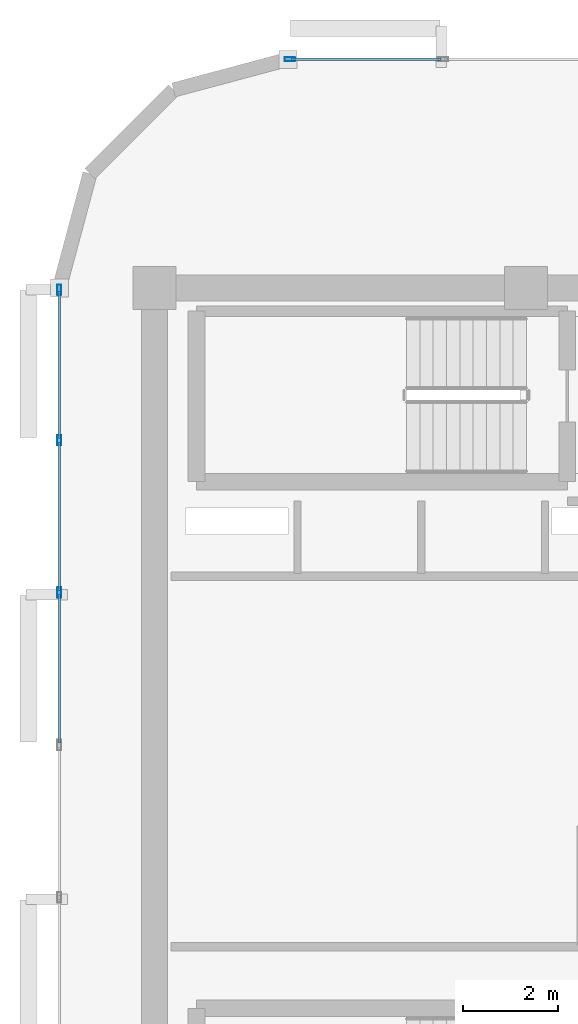
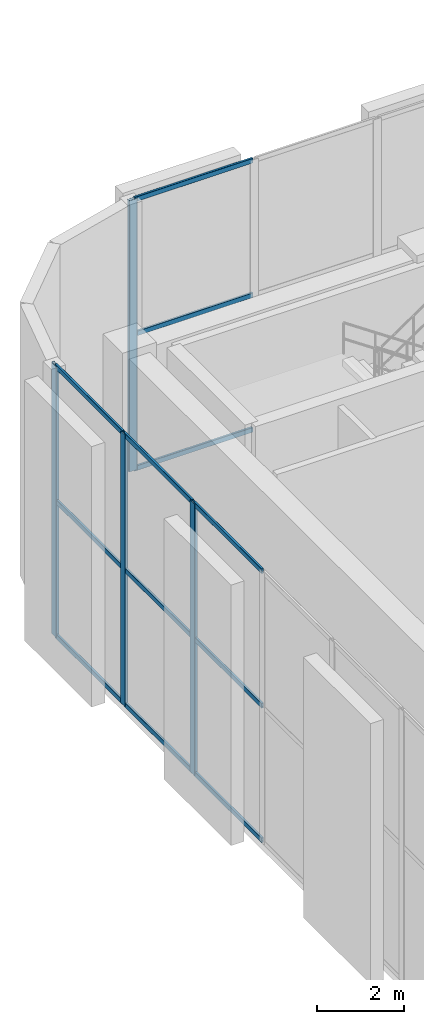
# One storey, part 7 of 22: 16 members, 2 elements without a shape of their own.
"""IFC4 building model written with IfcOpenShell, lengths in metres."""

from ifc_helpers import new_model, si_unit, direction, frame, origin, origin_2d, place, context, subcontext, project, spatial, hollow_rectangle, extrude, material, layer, layer_set, material_profile, profile_set, type_object, element, aggregate, save


model = new_model("IFC4")

# Units and contexts
model_context = context("Model", 3, precision=1e-05, world=origin(), true_north=direction((0.0, 1.0)))
body_context = subcontext(model_context, "Body", "Model", "MODEL_VIEW")
ifc_project = project(units=[si_unit("LENGTHUNIT", "METRE"), si_unit("AREAUNIT", "SQUARE_METRE"), si_unit("VOLUMEUNIT", "CUBIC_METRE"), si_unit("PLANEANGLEUNIT", "RADIAN"), si_unit("MASSUNIT", "GRAM", prefix="KILO")], contexts=[model_context])

# Site, building, storey
site_placement = place(None, origin())
site = spatial("IfcSite", under=ifc_project, at=site_placement, CompositionType="ELEMENT")
building_placement = place(site_placement, origin())
building = spatial("IfcBuilding", under=site, at=building_placement, Name="An Khanh Terracotta Commons", CompositionType="ELEMENT")
storey_placement = place(building_placement, frame((0.0, 0.0, 300.39990234375)))
storey = spatial("IfcBuildingStorey", under=building, at=storey_placement, Name="L78 Crown Damper Chamber", CompositionType="ELEMENT", Elevation=300.39990234375)

# Curtain wall, member
ifc_material = material(Name="Anodised Aluminium 6063-T6", Category="aluminium")
ifc_layer = layer(ifc_material, 0.25, Name="Anodised Aluminium 6063-T6")
ifc_layer_set = layer_set([ifc_layer], Name="Anodised Aluminium 6063-T6")
curtain_wall_type = type_object("IfcCurtainWallType", Name="CW-SYS-05", PredefinedType="USERDEFINED", material=ifc_layer_set)
curtain_wall_1_placement = place(storey_placement, origin())
curtain_wall_1 = element("IfcCurtainWall", 1, at=curtain_wall_1_placement, inside=storey, type_object=curtain_wall_type, Name="L78 Crown Damper Chamber CW-05 Unitised Curtain Wall CW-L78-20", ObjectType="UNITISED CURTAIN WALL", PredefinedType="USERDEFINED")
ifc_material_profile_1 = material_profile(ifc_material, hollow_rectangle(XDim=0.080078125, YDim=0.219970703125, WallThickness=0.0048828125, InnerFilletRadius=0.0048828125, OuterFilletRadius=0.010009765625, at=origin_2d()), Name="RHS220x80x5")
ifc_profile_set_1 = profile_set([ifc_material_profile_1], Name="Anodised Aluminium 6063-T6")
member_type_1 = type_object("IfcMemberType", Name="CWM-RHS220x80x5", PredefinedType="MULLION", material=ifc_profile_set_1)
member_1_placement = place(storey_placement, frame((24.43994140625, 38.39990234375, 0.0), z_axis=(0.0, 0.0, 1.0), x_axis=(0.0, -1.0, 0.0)))
member_1 = element("IfcMember", 2, at=member_1_placement, type_object=member_type_1, Name="CW-05 mullion 12", PredefinedType="MULLION", context=body_context, shape_type="SweptSolid", body=[
    extrude(hollow_rectangle(XDim=0.080078125, YDim=0.219970703125, WallThickness=0.0048828125, InnerFilletRadius=0.0048828125, OuterFilletRadius=0.010009765625, at=origin_2d()), origin(), (0.0, 0.0, 1.0), 7.60009765625),
])

# Curtain wall, members
curtain_wall_2_placement = place(storey_placement, origin())
curtain_wall_2 = element("IfcCurtainWall", 3, at=curtain_wall_2_placement, inside=storey, type_object=curtain_wall_type, Name="L78 Crown Damper Chamber CW-05 Unitised Curtain Wall CW-L78-24", ObjectType="UNITISED CURTAIN WALL", PredefinedType="USERDEFINED")
member_2_placement = place(storey_placement, frame((19.60009765625, 33.56005859375, 0.0), z_axis=(0.0, 0.0, 1.0), x_axis=(1.0, 0.0, 0.0)))
member_2 = element("IfcMember", 4, at=member_2_placement, type_object=member_type_1, Name="CW-05 mullion 1", PredefinedType="MULLION", context=body_context, shape_type="SweptSolid", body=[
    extrude(hollow_rectangle(XDim=0.080078125, YDim=0.219970703125, WallThickness=0.0048828125, InnerFilletRadius=0.0048828125, OuterFilletRadius=0.010009765625, at=origin_2d()), origin(), (0.0, 0.0, 1.0), 7.60009765625),
])
member_3_placement = place(storey_placement, frame((19.60009765625, 30.39990234375, 0.0), z_axis=(0.0, 0.0, 1.0), x_axis=(1.0, 0.0, 0.0)))
member_3 = element("IfcMember", 5, at=member_3_placement, type_object=member_type_1, Name="CW-05 mullion 2", PredefinedType="MULLION", context=body_context, shape_type="SweptSolid", body=[
    extrude(hollow_rectangle(XDim=0.080078125, YDim=0.219970703125, WallThickness=0.0048828125, InnerFilletRadius=0.0048828125, OuterFilletRadius=0.010009765625, at=origin_2d()), origin(), (0.0, 0.0, 1.0), 7.60009765625),
])
member_4_placement = place(storey_placement, frame((19.60009765625, 27.199951171875, 0.0), z_axis=(0.0, 0.0, 1.0), x_axis=(1.0, 0.0, 0.0)))
member_4 = element("IfcMember", 6, at=member_4_placement, type_object=member_type_1, Name="CW-05 mullion 3", PredefinedType="MULLION", context=body_context, shape_type="SweptSolid", body=[
    extrude(hollow_rectangle(XDim=0.080078125, YDim=0.219970703125, WallThickness=0.0048828125, InnerFilletRadius=0.0048828125, OuterFilletRadius=0.010009765625, at=origin_2d()), origin(), (0.0, 0.0, 1.0), 7.60009765625),
])

# Member
ifc_material_profile_2 = material_profile(ifc_material, hollow_rectangle(XDim=0.06005859375, YDim=0.135009765625, WallThickness=0.003662109375, InnerFilletRadius=0.003662109375, OuterFilletRadius=0.007080078125, at=origin_2d()), Name="RHS135x60x3.6")
ifc_profile_set_2 = profile_set([ifc_material_profile_2], Name="Anodised Aluminium 6063-T6")
member_type_2 = type_object("IfcMemberType", Name="CWT-RHS135x60x3.6", PredefinedType="USERDEFINED", material=ifc_profile_set_2)
member_5_placement = place(storey_placement, frame((27.61669921875, 38.39990234375, 0.030029296875), z_axis=(-1.0, 0.0, 0.0), x_axis=(0.0, -1.0, 0.0)))
member_5 = element("IfcMember", 7, at=member_5_placement, type_object=member_type_2, Name="CW-05 transom 11.1", ObjectType="TRANSOM", PredefinedType="USERDEFINED", context=body_context, shape_type="SweptSolid", body=[
    extrude(hollow_rectangle(XDim=0.06005859375, YDim=0.135009765625, WallThickness=0.003662109375, InnerFilletRadius=0.003662109375, OuterFilletRadius=0.007080078125, at=origin_2d()), origin(), (0.0, 0.0, 1.0), 3.13671875),
])

member_6_placement = place(storey_placement, frame((27.61669921875, 38.39990234375, 3.800048828125), z_axis=(-1.0, 0.0, 0.0), x_axis=(0.0, -1.0, 0.0)))
member_6 = element("IfcMember", 8, at=member_6_placement, type_object=member_type_2, Name="CW-05 transom 11.2", ObjectType="TRANSOM", PredefinedType="USERDEFINED", context=body_context, shape_type="SweptSolid", body=[
    extrude(hollow_rectangle(XDim=0.06005859375, YDim=0.135009765625, WallThickness=0.003662109375, InnerFilletRadius=0.003662109375, OuterFilletRadius=0.007080078125, at=origin_2d()), origin(), (0.0, 0.0, 1.0), 3.13671875),
])

member_7_placement = place(storey_placement, frame((27.61669921875, 38.39990234375, 7.570068359375), z_axis=(-1.0, 0.0, 0.0), x_axis=(0.0, -1.0, 0.0)))
member_7 = element("IfcMember", 9, at=member_7_placement, type_object=member_type_2, Name="CW-05 transom 11.3", ObjectType="TRANSOM", PredefinedType="USERDEFINED", context=body_context, shape_type="SweptSolid", body=[
    extrude(hollow_rectangle(XDim=0.06005859375, YDim=0.135009765625, WallThickness=0.003662109375, InnerFilletRadius=0.003662109375, OuterFilletRadius=0.007080078125, at=origin_2d()), origin(), (0.0, 0.0, 1.0), 3.13671875),
])

aggregate(curtain_wall_1, [member_1, member_5, member_6, member_7])

member_8_placement = place(storey_placement, frame((19.60009765625, 33.52001953125, 0.030029296875), z_axis=(0.0, -1.0, 0.0), x_axis=(1.0, 0.0, 0.0)))
member_8 = element("IfcMember", 10, at=member_8_placement, type_object=member_type_2, Name="CW-05 transom 1.1", ObjectType="TRANSOM", PredefinedType="USERDEFINED", context=body_context, shape_type="SweptSolid", body=[
    extrude(hollow_rectangle(XDim=0.06005859375, YDim=0.135009765625, WallThickness=0.003662109375, InnerFilletRadius=0.003662109375, OuterFilletRadius=0.007080078125, at=origin_2d()), origin(), (0.0, 0.0, 1.0), 3.080078125),
])

member_9_placement = place(storey_placement, frame((19.60009765625, 33.52001953125, 3.800048828125), z_axis=(0.0, -1.0, 0.0), x_axis=(1.0, 0.0, 0.0)))
member_9 = element("IfcMember", 11, at=member_9_placement, type_object=member_type_2, Name="CW-05 transom 1.2", ObjectType="TRANSOM", PredefinedType="USERDEFINED", context=body_context, shape_type="SweptSolid", body=[
    extrude(hollow_rectangle(XDim=0.06005859375, YDim=0.135009765625, WallThickness=0.003662109375, InnerFilletRadius=0.003662109375, OuterFilletRadius=0.007080078125, at=origin_2d()), origin(), (0.0, 0.0, 1.0), 3.080078125),
])

member_10_placement = place(storey_placement, frame((19.60009765625, 33.52001953125, 7.570068359375), z_axis=(0.0, -1.0, 0.0), x_axis=(1.0, 0.0, 0.0)))
member_10 = element("IfcMember", 12, at=member_10_placement, type_object=member_type_2, Name="CW-05 transom 1.3", ObjectType="TRANSOM", PredefinedType="USERDEFINED", context=body_context, shape_type="SweptSolid", body=[
    extrude(hollow_rectangle(XDim=0.06005859375, YDim=0.135009765625, WallThickness=0.003662109375, InnerFilletRadius=0.003662109375, OuterFilletRadius=0.007080078125, at=origin_2d()), origin(), (0.0, 0.0, 1.0), 3.080078125),
])

member_11_placement = place(storey_placement, frame((19.60009765625, 30.360107421875, 0.030029296875), z_axis=(0.0, -1.0, 0.0), x_axis=(1.0, 0.0, 0.0)))
member_11 = element("IfcMember", 13, at=member_11_placement, type_object=member_type_2, Name="CW-05 transom 2.1", ObjectType="TRANSOM", PredefinedType="USERDEFINED", context=body_context, shape_type="SweptSolid", body=[
    extrude(hollow_rectangle(XDim=0.06005859375, YDim=0.135009765625, WallThickness=0.003662109375, InnerFilletRadius=0.003662109375, OuterFilletRadius=0.007080078125, at=origin_2d()), origin(), (0.0, 0.0, 1.0), 3.1201171875),
])

member_12_placement = place(storey_placement, frame((19.60009765625, 30.360107421875, 3.800048828125), z_axis=(0.0, -1.0, 0.0), x_axis=(1.0, 0.0, 0.0)))
member_12 = element("IfcMember", 14, at=member_12_placement, type_object=member_type_2, Name="CW-05 transom 2.2", ObjectType="TRANSOM", PredefinedType="USERDEFINED", context=body_context, shape_type="SweptSolid", body=[
    extrude(hollow_rectangle(XDim=0.06005859375, YDim=0.135009765625, WallThickness=0.003662109375, InnerFilletRadius=0.003662109375, OuterFilletRadius=0.007080078125, at=origin_2d()), origin(), (0.0, 0.0, 1.0), 3.1201171875),
])

member_13_placement = place(storey_placement, frame((19.60009765625, 30.360107421875, 7.570068359375), z_axis=(0.0, -1.0, 0.0), x_axis=(1.0, 0.0, 0.0)))
member_13 = element("IfcMember", 15, at=member_13_placement, type_object=member_type_2, Name="CW-05 transom 2.3", ObjectType="TRANSOM", PredefinedType="USERDEFINED", context=body_context, shape_type="SweptSolid", body=[
    extrude(hollow_rectangle(XDim=0.06005859375, YDim=0.135009765625, WallThickness=0.003662109375, InnerFilletRadius=0.003662109375, OuterFilletRadius=0.007080078125, at=origin_2d()), origin(), (0.0, 0.0, 1.0), 3.1201171875),
])

member_14_placement = place(storey_placement, frame((19.60009765625, 27.159912109375, 0.030029296875), z_axis=(0.0, -1.0, 0.0), x_axis=(1.0, 0.0, 0.0)))
member_14 = element("IfcMember", 16, at=member_14_placement, type_object=member_type_2, Name="CW-05 transom 3.1", ObjectType="TRANSOM", PredefinedType="USERDEFINED", context=body_context, shape_type="SweptSolid", body=[
    extrude(hollow_rectangle(XDim=0.06005859375, YDim=0.135009765625, WallThickness=0.003662109375, InnerFilletRadius=0.003662109375, OuterFilletRadius=0.007080078125, at=origin_2d()), origin(), (0.0, 0.0, 1.0), 3.119873046875),
])

member_15_placement = place(storey_placement, frame((19.60009765625, 27.159912109375, 3.800048828125), z_axis=(0.0, -1.0, 0.0), x_axis=(1.0, 0.0, 0.0)))
member_15 = element("IfcMember", 17, at=member_15_placement, type_object=member_type_2, Name="CW-05 transom 3.2", ObjectType="TRANSOM", PredefinedType="USERDEFINED", context=body_context, shape_type="SweptSolid", body=[
    extrude(hollow_rectangle(XDim=0.06005859375, YDim=0.135009765625, WallThickness=0.003662109375, InnerFilletRadius=0.003662109375, OuterFilletRadius=0.007080078125, at=origin_2d()), origin(), (0.0, 0.0, 1.0), 3.119873046875),
])

member_16_placement = place(storey_placement, frame((19.60009765625, 27.159912109375, 7.570068359375), z_axis=(0.0, -1.0, 0.0), x_axis=(1.0, 0.0, 0.0)))
member_16 = element("IfcMember", 18, at=member_16_placement, type_object=member_type_2, Name="CW-05 transom 3.3", ObjectType="TRANSOM", PredefinedType="USERDEFINED", context=body_context, shape_type="SweptSolid", body=[
    extrude(hollow_rectangle(XDim=0.06005859375, YDim=0.135009765625, WallThickness=0.003662109375, InnerFilletRadius=0.003662109375, OuterFilletRadius=0.007080078125, at=origin_2d()), origin(), (0.0, 0.0, 1.0), 3.119873046875),
])

aggregate(curtain_wall_2, [member_2, member_3, member_4, member_8, member_9, member_10, member_11, member_12, member_13, member_14, member_15, member_16])

save(model, "model.ifc")
